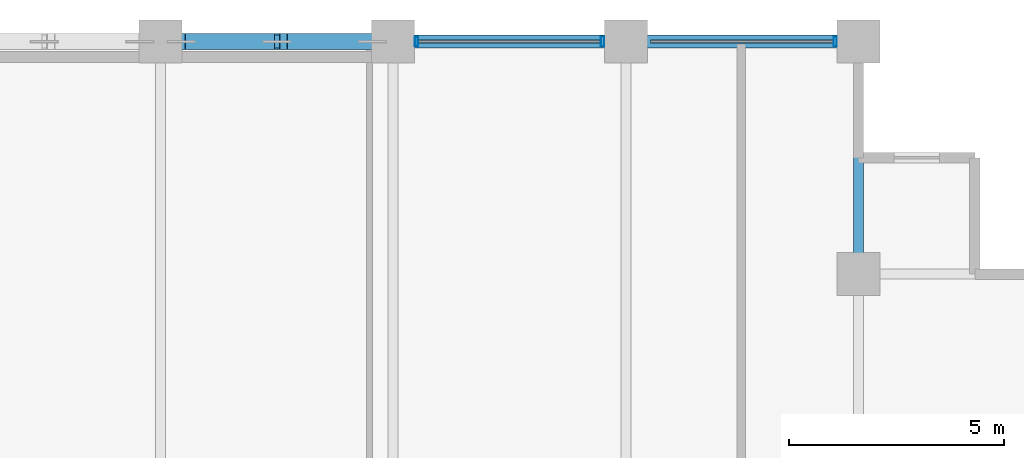
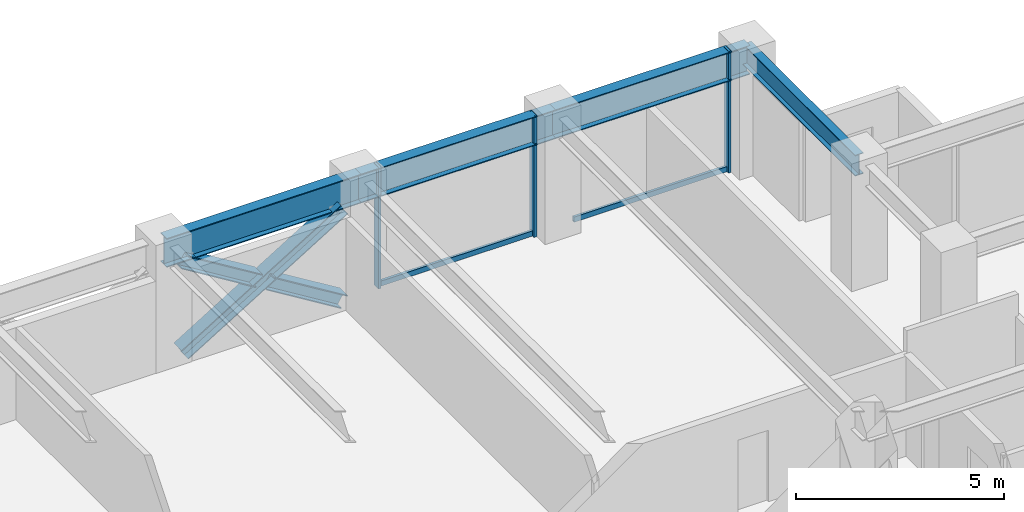
# One storey, part 16 of 23: 8 members, 4 beams, 1 element without a shape of its own.
"""IFC4 building model written with IfcOpenShell, lengths in metres."""

from ifc_helpers import new_model, si_unit, direction, frame, origin, origin_2d, place, context, subcontext, project, spatial, hollow_rectangle, i_section, extrude, material, layer, layer_set, material_profile, profile_set, type_object, element, aggregate, save


model = new_model("IFC4")

# Units and contexts
model_context = context("Model", 3, precision=1e-05, world=origin(), true_north=direction((0.0, 1.0)))
body_context = subcontext(model_context, "Body", "Model", "MODEL_VIEW")
ifc_project = project(units=[si_unit("LENGTHUNIT", "METRE"), si_unit("AREAUNIT", "SQUARE_METRE"), si_unit("VOLUMEUNIT", "CUBIC_METRE"), si_unit("PLANEANGLEUNIT", "RADIAN"), si_unit("MASSUNIT", "GRAM", prefix="KILO")], contexts=[model_context])

# Site, building, storey
site_placement = place(None, origin())
site = spatial("IfcSite", under=ifc_project, at=site_placement, CompositionType="ELEMENT")
building_placement = place(site_placement, origin())
building = spatial("IfcBuilding", under=site, at=building_placement, Name="Surkhivell Harbour Commons", CompositionType="ELEMENT")
storey_placement = place(building_placement, frame((0.0, 0.0, 128.25)))
storey = spatial("IfcBuildingStorey", under=building, at=storey_placement, Name="L33", CompositionType="ELEMENT", Elevation=128.25)

# Beams
ifc_material_1 = material(Name="Steel S355", Category="steel")
ifc_material_profile_1 = material_profile(ifc_material_1, i_section(OverallWidth=0.22998046875, OverallDepth=0.616943359375, WebThickness=0.01318359375, FlangeThickness=0.022216796875, at=origin_2d()), Name="UB610x229x140")
ifc_profile_set_1 = profile_set([ifc_material_profile_1], Name="Steel S355")
beam_type_1 = type_object("IfcBeamType", Name="BM-GRD-610B", PredefinedType="BEAM", material=ifc_profile_set_1)
beam_1_placement = place(storey_placement, frame((16.199951171875, 20.5, 3.261474609375), z_axis=(0.0, 1.0, 0.0), x_axis=(-1.0, 0.0, 0.0)))
element("IfcBeam", 1, at=beam_1_placement, inside=storey, type_object=beam_type_1, Name="L33 Floor Girder (16.2,20.5)", PredefinedType="BEAM", context=body_context, shape_type="SweptSolid", body=[
    extrude(i_section(OverallWidth=0.22998046875, OverallDepth=0.616943359375, WebThickness=0.01318359375, FlangeThickness=0.022216796875, at=origin_2d()), origin(), (0.0, 0.0, 1.0), 5.39990234375),
])
ifc_material_2 = material(Name="Steel S460", Category="steel")
ifc_material_profile_2 = material_profile(ifc_material_2, i_section(OverallWidth=0.2939453125, OverallDepth=0.85107421875, WebThickness=0.01611328125, FlangeThickness=0.02685546875, at=origin_2d()), Name="UB838x292x226")
ifc_profile_set_2 = profile_set([ifc_material_profile_2], Name="Steel S460")
beam_type_2 = type_object("IfcBeamType", Name="BM-SPN-838", PredefinedType="SPANDREL", material=ifc_profile_set_2)
beam_2_placement = place(storey_placement, frame((0.0, 25.89990234375, 3.14453125), z_axis=(1.0, 0.0, 0.0), x_axis=(0.0, 1.0, 0.0)))
element("IfcBeam", 2, at=beam_2_placement, inside=storey, type_object=beam_type_2, Name="L33 Tube Spandrel (-0.0,25.9)", PredefinedType="SPANDREL", context=body_context, shape_type="SweptSolid", body=[
    extrude(i_section(OverallWidth=0.2939453125, OverallDepth=0.85107421875, WebThickness=0.01611328125, FlangeThickness=0.02685546875, at=origin_2d()), origin(), (0.0, 0.0, 1.0), 5.39990234375),
])
beam_3_placement = place(storey_placement, frame((5.39990234375, 25.89990234375, 3.14453125), z_axis=(1.0, 0.0, 0.0), x_axis=(0.0, 1.0, 0.0)))
element("IfcBeam", 3, at=beam_3_placement, inside=storey, type_object=beam_type_2, Name="L33 Tube Spandrel (5.4,25.9)", PredefinedType="SPANDREL", context=body_context, shape_type="SweptSolid", body=[
    extrude(i_section(OverallWidth=0.2939453125, OverallDepth=0.85107421875, WebThickness=0.01611328125, FlangeThickness=0.02685546875, at=origin_2d()), origin(), (0.0, 0.0, 1.0), 5.400146484375),
])
beam_4_placement = place(storey_placement, frame((10.800048828125, 25.89990234375, 3.14453125), z_axis=(1.0, 0.0, 0.0), x_axis=(0.0, 1.0, 0.0)))
element("IfcBeam", 4, at=beam_4_placement, inside=storey, type_object=beam_type_2, Name="L33 Tube Spandrel (10.8,25.9)", PredefinedType="SPANDREL", context=body_context, shape_type="SweptSolid", body=[
    extrude(i_section(OverallWidth=0.2939453125, OverallDepth=0.85107421875, WebThickness=0.01611328125, FlangeThickness=0.02685546875, at=origin_2d()), origin(), (0.0, 0.0, 1.0), 5.39990234375),
])

# Curtain wall, members
ifc_material_3 = material(Name="Anodised pale-metal aluminium and insulated glazing", Category="aluminium")
ifc_layer = layer(ifc_material_3, 0.205078125)
ifc_layer_set = layer_set([ifc_layer], Name="Anodised pale-metal aluminium and insulated glazing")
curtain_wall_type = type_object("IfcCurtainWallType", Name="CW-SYS-Z2", PredefinedType="NOTDEFINED", material=ifc_layer_set)
curtain_wall_placement = place(storey_placement, origin())
curtain_wall = element("IfcCurtainWall", 5, at=curtain_wall_placement, inside=storey, type_object=curtain_wall_type, Name="L33 Curtain Wall CW-L33-E07S1", PredefinedType="NOTDEFINED")
ifc_material_4 = material(Name="Anodised pale-metal aluminium alloy 6063-T6", Category="aluminium")
ifc_material_profile_3 = material_profile(ifc_material_4, hollow_rectangle(XDim=0.074951171875, YDim=0.219970703125, WallThickness=0.00390625, at=origin_2d()), Name="ALU-MULL-75x220")
ifc_profile_set_3 = profile_set([ifc_material_profile_3], Name="Anodised pale-metal aluminium alloy 6063-T6")
member_type_1 = type_object("IfcMemberType", Name="CWM-220", PredefinedType="MULLION", material=ifc_profile_set_3)
member_1_placement = place(storey_placement, frame((15.660400390625, 25.89990234375, 0.0), z_axis=(0.0, 0.0, 1.0), x_axis=(-1.0, 0.0, 0.0)))
member_1 = element("IfcMember", 6, at=member_1_placement, type_object=member_type_1, Name="CW-Z2 mullion 1", PredefinedType="MULLION", context=body_context, shape_type="SweptSolid", body=[
    extrude(hollow_rectangle(XDim=0.074951171875, YDim=0.219970703125, WallThickness=0.00390625, at=origin_2d()), origin(), (0.0, 0.0, 1.0), 3.570068359375),
])
member_2_placement = place(storey_placement, frame((10.260498046875, 25.89990234375, 0.0), z_axis=(0.0, 0.0, 1.0), x_axis=(-1.0, 0.0, 0.0)))
member_2 = element("IfcMember", 7, at=member_2_placement, type_object=member_type_1, Name="CW-Z2 mullion 2", PredefinedType="MULLION", context=body_context, shape_type="SweptSolid", body=[
    extrude(hollow_rectangle(XDim=0.074951171875, YDim=0.219970703125, WallThickness=0.00390625, at=origin_2d()), origin(), (0.0, 0.0, 1.0), 3.570068359375),
])
member_3_placement = place(storey_placement, frame((5.939453125, 25.89990234375, 0.0), z_axis=(0.0, 0.0, 1.0), x_axis=(-1.0, 0.0, 0.0)))
member_3 = element("IfcMember", 8, at=member_3_placement, type_object=member_type_1, Name="CW-Z2 mullion 3", PredefinedType="MULLION", context=body_context, shape_type="SweptSolid", body=[
    extrude(hollow_rectangle(XDim=0.074951171875, YDim=0.219970703125, WallThickness=0.00390625, at=origin_2d()), origin(), (0.0, 0.0, 1.0), 3.570068359375),
])
ifc_material_profile_4 = material_profile(ifc_material_4, hollow_rectangle(XDim=0.074951171875, YDim=0.14990234375, WallThickness=0.00341796875, at=origin_2d()), Name="ALU-TRAN-75x150")
ifc_profile_set_4 = profile_set([ifc_material_profile_4], Name="Anodised pale-metal aluminium alloy 6063-T6")
member_type_2 = type_object("IfcMemberType", Name="CWT-150", PredefinedType="USERDEFINED", material=ifc_profile_set_4)
member_4_placement = place(storey_placement, frame((15.623046875, 25.89990234375, 0.074951171875), z_axis=(-1.0, 0.0, 0.0), x_axis=(0.0, -1.0, 0.0)))
member_4 = element("IfcMember", 9, at=member_4_placement, type_object=member_type_2, Name="CW-Z2 transom 1.1", ObjectType="TRANSOM", PredefinedType="USERDEFINED", context=body_context, shape_type="SweptSolid", body=[
    extrude(hollow_rectangle(XDim=0.074951171875, YDim=0.14990234375, WallThickness=0.00341796875, at=origin_2d()), origin(), (0.0, 0.0, 1.0), 4.24609375),
])
member_5_placement = place(storey_placement, frame((10.222900390625, 25.89990234375, 0.074951171875), z_axis=(-1.0, 0.0, 0.0), x_axis=(0.0, -1.0, 0.0)))
member_5 = element("IfcMember", 10, at=member_5_placement, type_object=member_type_2, Name="CW-Z2 transom 2.1", ObjectType="TRANSOM", PredefinedType="USERDEFINED", context=body_context, shape_type="SweptSolid", body=[
    extrude(hollow_rectangle(XDim=0.074951171875, YDim=0.14990234375, WallThickness=0.00341796875, at=origin_2d()), origin(), (0.0, 0.0, 1.0), 4.245849609375),
])
aggregate(curtain_wall, [member_1, member_4, member_2, member_3, member_5])

# Members
ifc_material_profile_5 = material_profile(ifc_material_2, i_section(OverallWidth=0.375, OverallDepth=0.375, WebThickness=0.0166015625, FlangeThickness=0.027099609375, at=origin_2d()), Name="UC356x368x202")
ifc_profile_set_5 = profile_set([ifc_material_profile_5], Name="Steel S460")
member_type_3 = type_object("IfcMemberType", Name="MEM-BRC-UC356", PredefinedType="BRACE", material=ifc_profile_set_5)
member_6_placement = place(storey_placement, frame((0.485107421875, 25.89990234375, 0.008056640625), z_axis=(0.852624888477, 0.0, 0.522523491864), x_axis=(0.0, 1.0, 0.0)))
element("IfcMember", 11, at=member_6_placement, inside=storey, type_object=member_type_3, Name="L33 Perimeter Mega-Brace MB- 04", PredefinedType="BRACE", context=body_context, shape_type="SweptSolid", body=[
    extrude(i_section(OverallWidth=0.375, OverallDepth=0.375, WebThickness=0.0166015625, FlangeThickness=0.027099609375, at=origin_2d()), origin(), (0.0, 0.0, 1.0), 5.195556640625),
])
member_7_placement = place(storey_placement, frame((4.9150390625, 25.89990234375, 0.008056640625), z_axis=(-0.852617215241, 0.0, 0.52253601242), x_axis=(0.0, -1.0, 0.0)))
element("IfcMember", 12, at=member_7_placement, inside=storey, type_object=member_type_3, Name="L33 Perimeter Mega-Brace MB- 05", PredefinedType="BRACE", context=body_context, shape_type="SweptSolid", body=[
    extrude(i_section(OverallWidth=0.375, OverallDepth=0.375, WebThickness=0.0166015625, FlangeThickness=0.027099609375, at=origin_2d()), origin(), (0.0, 0.0, 1.0), 2.41796875),
])
member_8_placement = place(storey_placement, frame((2.54638671875, 25.89990234375, 1.459716796875), z_axis=(-0.852634632964, 0.0, 0.522507591017), x_axis=(0.0, -1.0, 0.0)))
element("IfcMember", 13, at=member_8_placement, inside=storey, type_object=member_type_3, Name="L33 Perimeter Mega-Brace MB- 06", PredefinedType="BRACE", context=body_context, shape_type="SweptSolid", body=[
    extrude(i_section(OverallWidth=0.375, OverallDepth=0.375, WebThickness=0.0166015625, FlangeThickness=0.027099609375, at=origin_2d()), origin(), (0.0, 0.0, 1.0), 2.41748046875),
])

save(model, "model.ifc")
